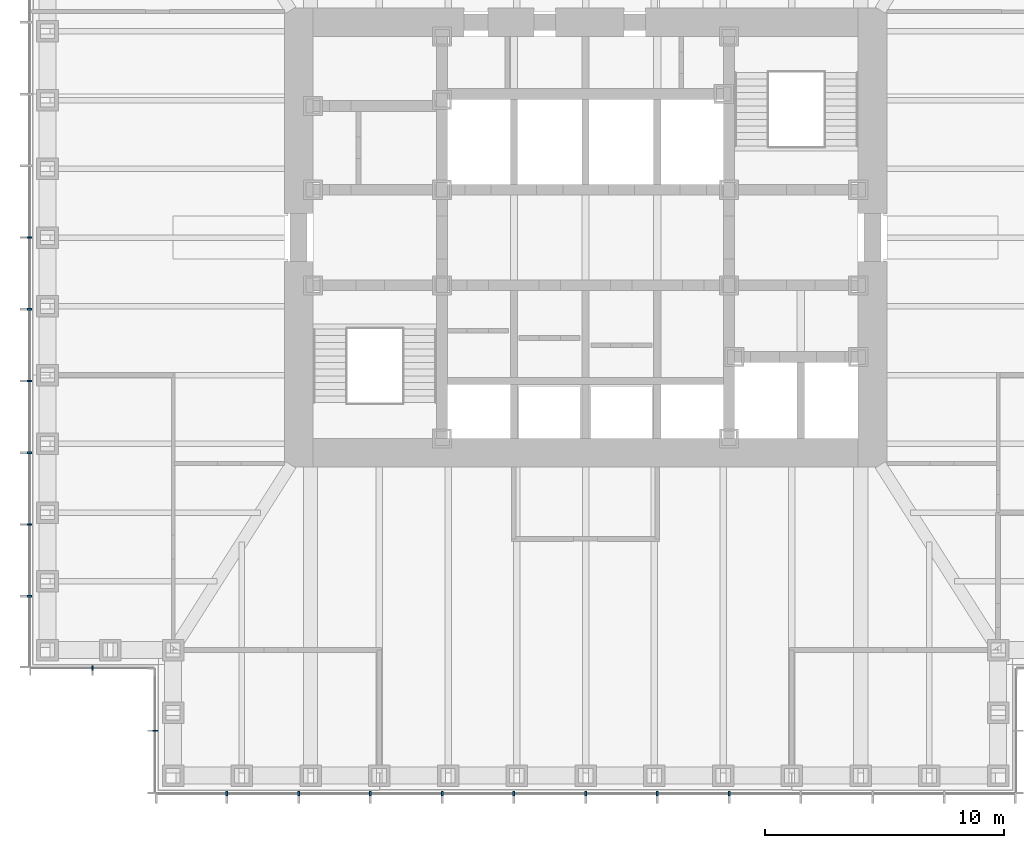
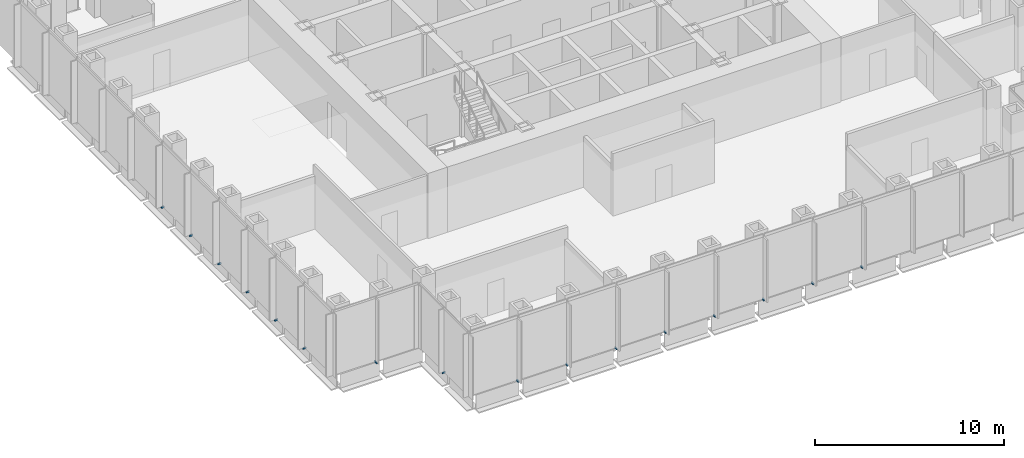
# One storey, part 11 of 16: 16 discrete accessories.
"""IFC4 building model written with IfcOpenShell, lengths in metres."""

from ifc_helpers import new_model, si_unit, direction, frame, origin, origin_2d, place, context, subcontext, project, spatial, rectangle, extrude, element, save


model = new_model("IFC4")

# Units and contexts
model_context = context("Model", 3, precision=1e-05, world=origin(), true_north=direction((0.0, 1.0)))
body_context = subcontext(model_context, "Body", "Model", "MODEL_VIEW")
ifc_project = project(units=[si_unit("LENGTHUNIT", "METRE"), si_unit("AREAUNIT", "SQUARE_METRE"), si_unit("VOLUMEUNIT", "CUBIC_METRE"), si_unit("PLANEANGLEUNIT", "RADIAN"), si_unit("MASSUNIT", "GRAM", prefix="KILO")], contexts=[model_context])

# Site, building, storey
site_placement = place(None, origin())
site = spatial("IfcSite", under=ifc_project, at=site_placement, CompositionType="ELEMENT")
building_placement = place(site_placement, origin())
building = spatial("IfcBuilding", under=site, at=building_placement, Name="Daluyong Arena Tower", CompositionType="ELEMENT")
storey_placement = place(building_placement, frame((0.0, 0.0, 133.300048828125)))
storey = spatial("IfcBuildingStorey", under=building, at=storey_placement, Name="L29", CompositionType="ELEMENT", Elevation=133.300048828125)

# Discrete accessories
for number, where, z_axis, x_axis, name in (
    (1, (41.0, 56.75, -0.10009765625), (0.0, 0.0, 1.0), (1.0, 0.0, 0.0), "curtain wall L29 S anchor bracket 2"),
    (2, (44.0, 56.75, -0.10009765625), (0.0, 0.0, 1.0), (1.0, 0.0, 0.0), "curtain wall L29 S anchor bracket 3"),
    (3, (47.0, 56.75, -0.10009765625), (0.0, 0.0, 1.0), (1.0, 0.0, 0.0), "curtain wall L29 S anchor bracket 4"),
    (4, (50.0, 56.75, -0.10009765625), (0.0, 0.0, 1.0), (1.0, 0.0, 0.0), "curtain wall L29 S anchor bracket 5"),
    (5, (53.0, 56.75, -0.10009765625), (0.0, 0.0, 1.0), (1.0, 0.0, 0.0), "curtain wall L29 S anchor bracket 6"),
    (6, (56.0, 56.75, -0.10009765625), (0.0, 0.0, 1.0), (1.0, 0.0, 0.0), "curtain wall L29 S anchor bracket 7"),
    (7, (59.0, 56.75, -0.10009765625), (0.0, 0.0, 1.0), (1.0, 0.0, 0.0), "curtain wall L29 S anchor bracket 8"),
    (8, (62.0, 56.75, -0.10009765625), (0.0, 0.0, 1.0), (1.0, 0.0, 0.0), "curtain wall L29 S anchor bracket 9"),
    (9, (32.75, 80.0, -0.10009765625), (0.0, 0.0, 1.0), (0.0, -1.0, 0.0), "curtain wall L29 W anchor bracket 7"),
    (10, (32.75, 77.0, -0.10009765625), (0.0, 0.0, 1.0), (0.0, -1.0, 0.0), "curtain wall L29 W anchor bracket 8"),
    (11, (32.75, 74.0, -0.10009765625), (0.0, 0.0, 1.0), (0.0, -1.0, 0.0), "curtain wall L29 W anchor bracket 9"),
    (12, (32.75, 71.0, -0.10009765625), (0.0, 0.0, 1.0), (0.0, -1.0, 0.0), "curtain wall L29 W anchor bracket 10"),
    (13, (32.75, 68.0, -0.10009765625), (0.0, 0.0, 1.0), (0.0, -1.0, 0.0), "curtain wall L29 W anchor bracket 11"),
    (14, (32.75, 65.0, -0.10009765625), (0.0, 0.0, 1.0), (0.0, -1.0, 0.0), "curtain wall L29 W anchor bracket 12"),
):
    element("IfcDiscreteAccessory", number, at=place(storey_placement, frame(where, z_axis=z_axis, x_axis=x_axis)), inside=storey, Name=name, PredefinedType="BRACKET", context=body_context, shape_type="SweptSolid", body=[
        extrude(rectangle(XDim=0.080078125, YDim=0.199951171875, at=origin_2d()), origin(), (0.0, 0.0, 1.0), 0.10009765625),
    ])
for number, where, z_axis, x_axis, name in (
    (15, (35.375, 62.0, -0.10009765625), (0.0, 0.0, 1.0), (1.0, 0.0, 0.0), "curtain wall L29 SW-S anchor bracket 2"),
    (16, (38.0, 59.375, -0.10009765625), (0.0, 0.0, 1.0), (0.0, -1.0, 0.0), "curtain wall L29 SW-W anchor bracket 2"),
):
    element("IfcDiscreteAccessory", number, at=place(storey_placement, frame(where, z_axis=z_axis, x_axis=x_axis)), inside=storey, Name=name, PredefinedType="BRACKET", context=body_context, shape_type="SweptSolid", body=[
        extrude(rectangle(XDim=0.06005859375, YDim=0.199951171875, at=origin_2d()), origin(), (0.0, 0.0, 1.0), 0.10009765625),
    ])

save(model, "model.ifc")
